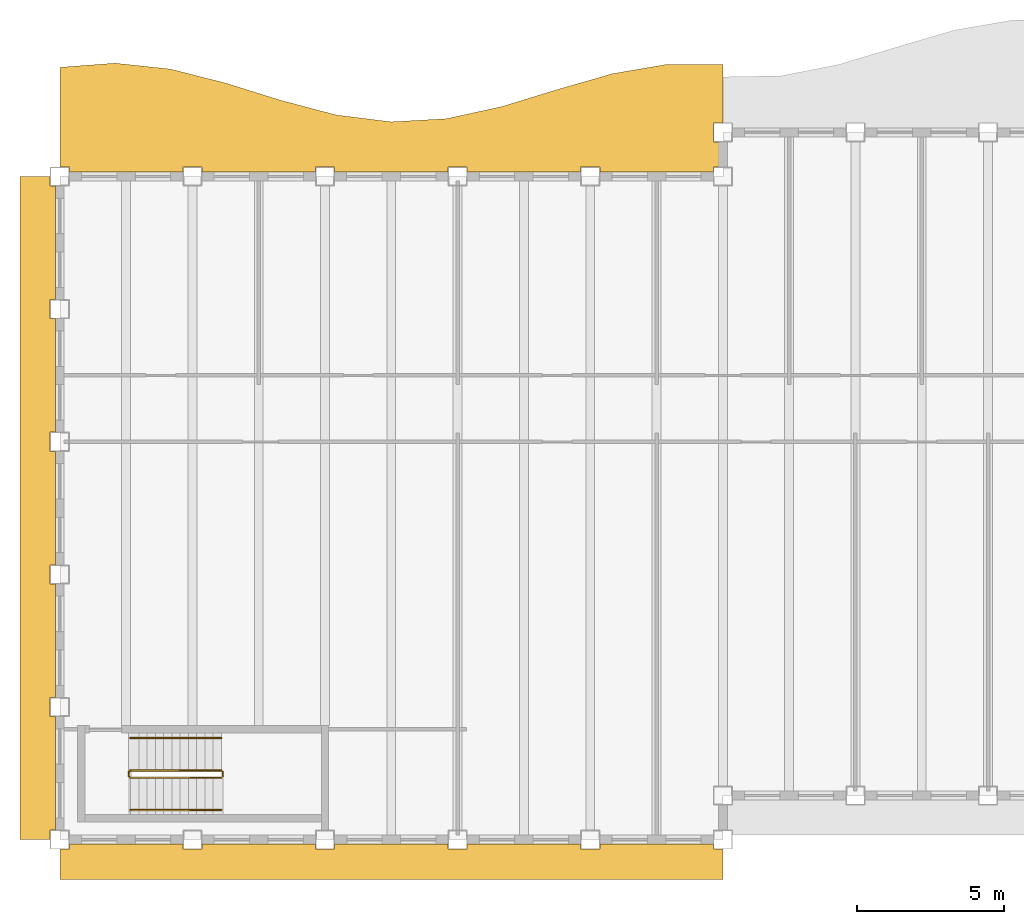
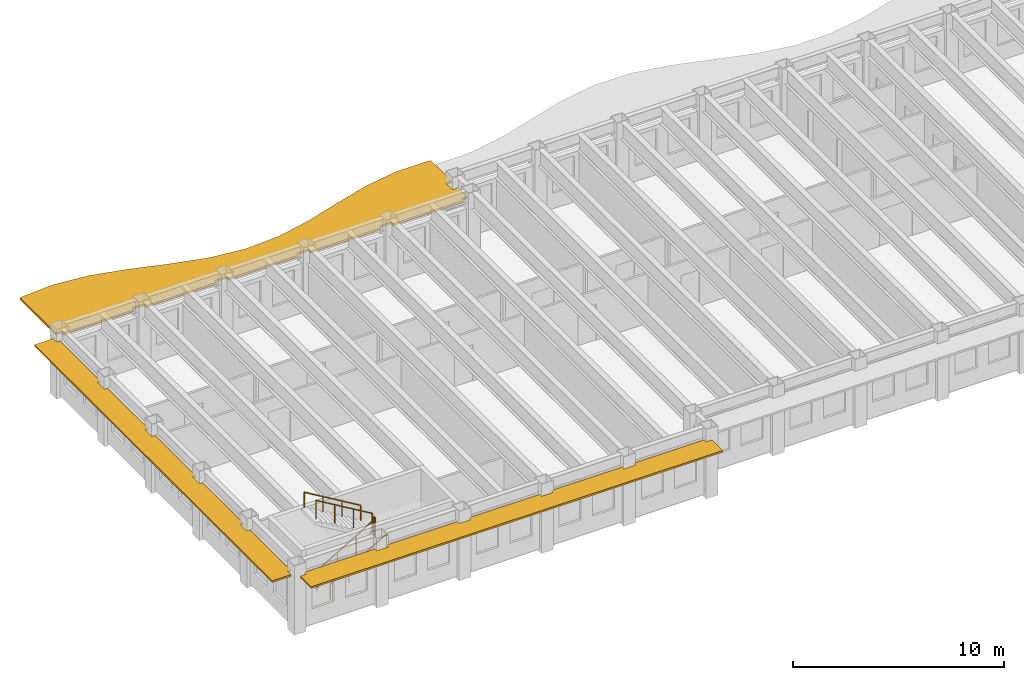
# One storey, part 8 of 12: 6 railings, 3 shading devices.
"""IFC4 building model written with IfcOpenShell, lengths in metres."""

from ifc_helpers import new_model, si_unit, direction, frame, origin, origin_2d, place, context, subcontext, project, spatial, polyline, rectangle, outline, extrude, material, layer, layer_set, type_object, element, save


model = new_model("IFC4")

# Units and contexts
model_context = context("Model", 3, precision=1e-05, world=origin(), true_north=direction((0.0, 1.0)))
body_context = subcontext(model_context, "Body", "Model", "MODEL_VIEW")
ifc_project = project(units=[si_unit("LENGTHUNIT", "METRE"), si_unit("AREAUNIT", "SQUARE_METRE"), si_unit("VOLUMEUNIT", "CUBIC_METRE"), si_unit("PLANEANGLEUNIT", "RADIAN"), si_unit("MASSUNIT", "GRAM", prefix="KILO")], contexts=[model_context])

# Site, building, storey
site_placement = place(None, origin())
site = spatial("IfcSite", under=ifc_project, at=site_placement, CompositionType="ELEMENT")
building_placement = place(site_placement, origin())
building = spatial("IfcBuilding", under=site, at=building_placement, Name="Sennacour Bend Tower", CompositionType="ELEMENT")
storey_placement = place(building_placement, frame((0.0, 0.0, 285.0)))
storey = spatial("IfcBuildingStorey", under=building, at=storey_placement, Name="L66", CompositionType="ELEMENT", Elevation=285.0)

# Railings
ifc_material_1 = material(Name="Stainless steel", Category="steel")
railing_type_1 = type_object("IfcRailingType", Name="RL-GUARD-1100", PredefinedType="GUARDRAIL", material=ifc_material_1)
railing_1_placement = place(storey_placement, frame((2.39990234375, 2.10009765625, 0.166748046875)))
element("IfcRailing", 1, at=railing_1_placement, inside=storey, type_object=railing_type_1, Name="L66 SK1 stair guard 1", PredefinedType="GUARDRAIL", context=body_context, shape_type="SweptSolid", body=[
    extrude(rectangle(XDim=0.048095703125, YDim=0.048095703125, at=origin_2d()), frame((0.0, 0.0, 1.076171875), z_axis=(0.859308565015, 0.0, 0.511457515432), x_axis=(0.0, 1.0, 0.0)), (0.0, 0.0, 1.0), 3.58447265625),
    extrude(rectangle(XDim=0.0419921875, YDim=0.0419921875, at=origin_2d()), origin(), (0.0, 0.0, 1.0), 1.052001953125),
    extrude(rectangle(XDim=0.0419921875, YDim=0.0419921875, at=origin_2d()), frame((1.026611328125, 0.0, 0.611083984375)), (0.0, 0.0, 1.0), 1.052001953125),
    extrude(rectangle(XDim=0.0419921875, YDim=0.0419921875, at=origin_2d()), frame((2.053466796875, 0.0, 1.22216796875)), (0.0, 0.0, 1.0), 1.052001953125),
    extrude(rectangle(XDim=0.0419921875, YDim=0.0419921875, at=origin_2d()), frame((3.080078125, 0.0, 1.833251953125)), (0.0, 0.0, 1.0), 1.052001953125),
])
railing_2_placement = place(storey_placement, frame((5.530029296875, 2.14990234375, 2.0)))
element("IfcRailing", 2, at=railing_2_placement, inside=storey, type_object=railing_type_1, Name="L66 SK1 stair guard 2", PredefinedType="GUARDRAIL", context=body_context, shape_type="SweptSolid", body=[
    extrude(rectangle(XDim=0.048095703125, YDim=0.048095703125, at=origin_2d()), frame((0.0, 0.0, 1.076171875), z_axis=(0.0, 1.0, 0.0), x_axis=(-1.0, 0.0, 0.0)), (0.0, 0.0, 1.0), 0.150146484375),
    extrude(rectangle(XDim=0.0419921875, YDim=0.0419921875, at=origin_2d()), origin(), (0.0, 0.0, 1.0), 1.052001953125),
    extrude(rectangle(XDim=0.0419921875, YDim=0.0419921875, at=origin_2d()), frame((0.0, 0.150146484375, 0.0)), (0.0, 0.0, 1.0), 1.052001953125),
])
railing_3_placement = place(storey_placement, frame((5.47998046875, 2.35009765625, 2.166748046875)))
element("IfcRailing", 3, at=railing_3_placement, inside=storey, type_object=railing_type_1, Name="L66 SK1 stair guard 3", PredefinedType="GUARDRAIL", context=body_context, shape_type="SweptSolid", body=[
    extrude(rectangle(XDim=0.048095703125, YDim=0.048095703125, at=origin_2d()), frame((0.0, 0.0, 1.076171875), z_axis=(-0.859308565015, 0.0, 0.511457515432), x_axis=(0.0, -1.0, 0.0)), (0.0, 0.0, 1.0), 3.58447265625),
    extrude(rectangle(XDim=0.0419921875, YDim=0.0419921875, at=origin_2d()), origin(), (0.0, 0.0, 1.0), 1.052001953125),
    extrude(rectangle(XDim=0.0419921875, YDim=0.0419921875, at=origin_2d()), frame((-1.026611328125, 0.0, 0.611083984375)), (0.0, 0.0, 1.0), 1.052001953125),
    extrude(rectangle(XDim=0.0419921875, YDim=0.0419921875, at=origin_2d()), frame((-2.053466796875, 0.0, 1.22216796875)), (0.0, 0.0, 1.0), 1.052001953125),
    extrude(rectangle(XDim=0.0419921875, YDim=0.0419921875, at=origin_2d()), frame((-3.080078125, 0.0, 1.833251953125)), (0.0, 0.0, 1.0), 1.052001953125),
])
railing_4_placement = place(storey_placement, frame((2.35009765625, 2.14990234375, 0.0)))
element("IfcRailing", 4, at=railing_4_placement, inside=storey, type_object=railing_type_1, Name="L66 SK1 stair guard 4", PredefinedType="GUARDRAIL", context=body_context, shape_type="SweptSolid", body=[
    extrude(rectangle(XDim=0.048095703125, YDim=0.048095703125, at=origin_2d()), frame((0.0, 0.0, 1.076171875), z_axis=(0.0, 1.0, 0.0), x_axis=(-1.0, 0.0, 0.0)), (0.0, 0.0, 1.0), 0.150146484375),
    extrude(rectangle(XDim=0.0419921875, YDim=0.0419921875, at=origin_2d()), origin(), (0.0, 0.0, 1.0), 1.052001953125),
    extrude(rectangle(XDim=0.0419921875, YDim=0.0419921875, at=origin_2d()), frame((0.0, 0.150146484375, 0.0)), (0.0, 0.0, 1.0), 1.052001953125),
])
railing_type_2 = type_object("IfcRailingType", Name="RL-HANDRAIL-900", PredefinedType="HANDRAIL", material=ifc_material_1)
railing_5_placement = place(storey_placement, frame((2.39990234375, 1.0, 0.166748046875)))
element("IfcRailing", 5, at=railing_5_placement, inside=storey, type_object=railing_type_2, Name="L66 SK1 stair handrail 1", PredefinedType="HANDRAIL", context=body_context, shape_type="SweptSolid", body=[
    extrude(rectangle(XDim=0.048095703125, YDim=0.048095703125, at=origin_2d()), frame((0.0, 0.0, 0.8759765625), z_axis=(0.859308565015, 0.0, 0.511457515432), x_axis=(0.0, 1.0, 0.0)), (0.0, 0.0, 1.0), 3.58447265625),
    extrude(rectangle(XDim=0.0419921875, YDim=0.0419921875, at=origin_2d()), origin(), (0.0, 0.0, 1.0), 0.851806640625),
    extrude(rectangle(XDim=0.0419921875, YDim=0.0419921875, at=origin_2d()), frame((1.026611328125, 0.0, 0.611083984375)), (0.0, 0.0, 1.0), 0.851806640625),
    extrude(rectangle(XDim=0.0419921875, YDim=0.0419921875, at=origin_2d()), frame((2.053466796875, 0.0, 1.22216796875)), (0.0, 0.0, 1.0), 0.851806640625),
    extrude(rectangle(XDim=0.0419921875, YDim=0.0419921875, at=origin_2d()), frame((3.080078125, 0.0, 1.833251953125)), (0.0, 0.0, 1.0), 0.851806640625),
])
railing_6_placement = place(storey_placement, frame((5.47998046875, 3.449951171875, 2.166748046875)))
element("IfcRailing", 6, at=railing_6_placement, inside=storey, type_object=railing_type_2, Name="L66 SK1 stair handrail 2", PredefinedType="HANDRAIL", context=body_context, shape_type="SweptSolid", body=[
    extrude(rectangle(XDim=0.048095703125, YDim=0.048095703125, at=origin_2d()), frame((0.0, 0.0, 0.8759765625), z_axis=(-0.859308565015, 0.0, 0.511457515432), x_axis=(0.0, -1.0, 0.0)), (0.0, 0.0, 1.0), 3.58447265625),
    extrude(rectangle(XDim=0.0419921875, YDim=0.0419921875, at=origin_2d()), origin(), (0.0, 0.0, 1.0), 0.851806640625),
    extrude(rectangle(XDim=0.0419921875, YDim=0.0419921875, at=origin_2d()), frame((-1.026611328125, 0.0, 0.611083984375)), (0.0, 0.0, 1.0), 0.851806640625),
    extrude(rectangle(XDim=0.0419921875, YDim=0.0419921875, at=origin_2d()), frame((-2.053466796875, 0.0, 1.22216796875)), (0.0, 0.0, 1.0), 0.851806640625),
    extrude(rectangle(XDim=0.0419921875, YDim=0.0419921875, at=origin_2d()), frame((-3.080078125, 0.0, 1.833251953125)), (0.0, 0.0, 1.0), 0.851806640625),
])

# Shading devices
ifc_material_2 = material(Name="Bronze anodised aluminium", Category="aluminium")
ifc_layer_1 = layer(ifc_material_2, 0.10009765625, Name="Bronze anodised aluminium", Category="aluminium")
ifc_layer_set_1 = layer_set([ifc_layer_1], Name="Bronze anodised aluminium")
shading_device_type_1 = type_object("IfcShadingDeviceType", Name="SUNSHADE BAND STRAIGHT", PredefinedType="USERDEFINED", material=ifc_layer_set_1)
shading_device_1_placement = place(storey_placement, frame((0.0, 0.0, 3.06201171875)))
element("IfcShadingDevice", 7, at=shading_device_1_placement, inside=storey, type_object=shading_device_type_1, Name="Sunshade band L66 K outer face", ObjectType="SUNSHADE", PredefinedType="USERDEFINED", context=body_context, shape_type="SweptSolid", body=[
    extrude(outline(polyline([(-0.14990234375, 18.324951171875), (-0.324951171875, 18.324951171875), (-0.324951171875, 17.675048828125), (-0.14990234375, 17.675048828125), (-0.14990234375, 13.824951171875), (-0.324951171875, 13.824951171875), (-0.324951171875, 13.175048828125), (-0.14990234375, 13.175048828125), (-0.14990234375, 9.324951171875), (-0.324951171875, 9.324951171875), (-0.324951171875, 8.675048828125), (-0.14990234375, 8.675048828125), (-0.14990234375, 4.824951171875), (-0.324951171875, 4.824951171875), (-0.324951171875, 4.175048828125), (-0.14990234375, 4.175048828125), (-0.14990234375, 0.324951171875), (-0.324951171875, 0.324951171875), (-0.324951171875, 0.0), (-1.35009765625, 0.0), (-1.35009765625, 22.5), (-0.324951171875, 22.5), (-0.324951171875, 22.175048828125), (-0.14990234375, 22.175048828125), (-0.14990234375, 18.324951171875)])), origin(), (0.0, 0.0, 1.0), 0.10009765625),
])
shading_device_2_placement = place(storey_placement, frame((0.0, 0.0, 3.06201171875)))
element("IfcShadingDevice", 8, at=shading_device_2_placement, inside=storey, type_object=shading_device_type_1, Name="Sunshade band L66 K outer face", ObjectType="SUNSHADE", PredefinedType="USERDEFINED", context=body_context, shape_type="SweptSolid", body=[
    extrude(outline(polyline([(4.175048828125, -0.14990234375), (4.175048828125, -0.324951171875), (4.824951171875, -0.324951171875), (4.824951171875, -0.14990234375), (8.675048828125, -0.14990234375), (8.675048828125, -0.324951171875), (9.324951171875, -0.324951171875), (9.324951171875, -0.14990234375), (13.175048828125, -0.14990234375), (13.175048828125, -0.324951171875), (13.824951171875, -0.324951171875), (13.824951171875, -0.14990234375), (17.675048828125, -0.14990234375), (17.675048828125, -0.324951171875), (18.324951171875, -0.324951171875), (18.324951171875, -0.14990234375), (22.175048828125, -0.14990234375), (22.175048828125, -0.324951171875), (22.5, -0.324951171875), (22.5, -1.35009765625), (0.0, -1.35009765625), (0.0, -0.324951171875), (0.324951171875, -0.324951171875), (0.324951171875, -0.14990234375), (4.175048828125, -0.14990234375)])), origin(), (0.0, 0.0, 1.0), 0.10009765625),
])
ifc_layer_2 = layer(ifc_material_2, 0.1201171875, Name="Bronze anodised aluminium", Category="aluminium")
ifc_layer_set_2 = layer_set([ifc_layer_2], Name="Bronze anodised aluminium")
shading_device_type_2 = type_object("IfcShadingDeviceType", Name="SUNSHADE BAND WAVE", PredefinedType="USERDEFINED", material=ifc_layer_set_2)
shading_device_3_placement = place(storey_placement, frame((0.0, 0.0, 3.0419921875)))
element("IfcShadingDevice", 9, at=shading_device_3_placement, inside=storey, type_object=shading_device_type_2, Name="Sunshade band L66 concave faces", ObjectType="SUNSHADE", PredefinedType="USERDEFINED", context=body_context, shape_type="SweptSolid", body=[
    extrude(outline(polyline([(22.175048828125, 22.64990234375), (18.324951171875, 22.64990234375), (18.324951171875, 22.824951171875), (17.675048828125, 22.824951171875), (17.675048828125, 22.64990234375), (13.824951171875, 22.64990234375), (13.824951171875, 22.824951171875), (13.175048828125, 22.824951171875), (13.175048828125, 22.64990234375), (9.324951171875, 22.64990234375), (9.324951171875, 22.824951171875), (8.675048828125, 22.824951171875), (8.675048828125, 22.64990234375), (4.824951171875, 22.64990234375), (4.824951171875, 22.824951171875), (4.175048828125, 22.824951171875), (4.175048828125, 22.64990234375), (0.324951171875, 22.64990234375), (0.324951171875, 22.824951171875), (0.0, 22.824951171875), (0.0, 26.206298828125), (1.875, 26.3486328125), (3.75, 26.147705078125), (5.625, 25.672607421875), (7.5, 25.086669921875), (9.375, 24.591064453125), (11.25, 24.3564453125), (13.125, 24.46337890625), (15.0, 24.875), (16.875, 25.44970703125), (18.75, 25.990478515625), (20.625, 26.310791015625), (22.5, 26.301025390625), (22.5, 24.324951171875), (22.175048828125, 24.324951171875), (22.175048828125, 23.675048828125), (22.5, 23.675048828125), (22.5, 22.824951171875), (22.175048828125, 22.824951171875), (22.175048828125, 22.64990234375)])), origin(), (0.0, 0.0, 1.0), 0.1201171875),
])

save(model, "model.ifc")
